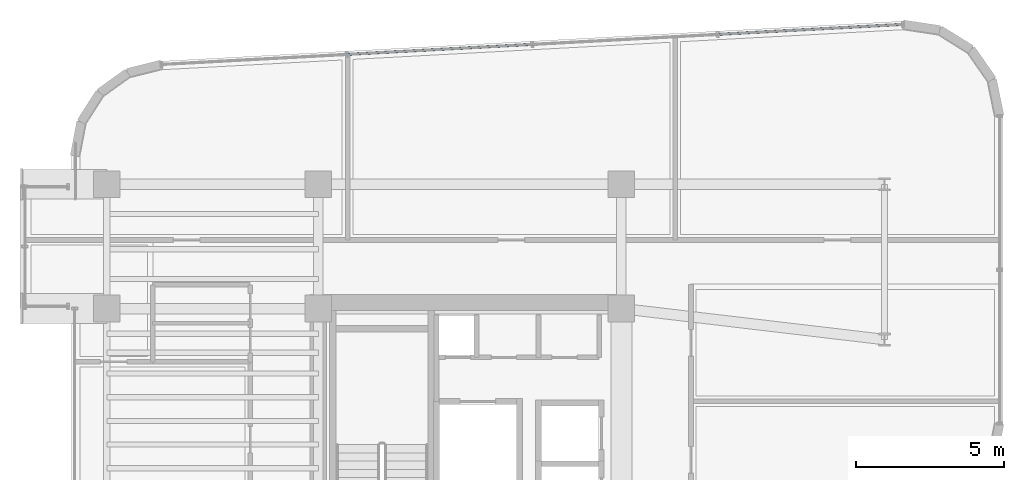
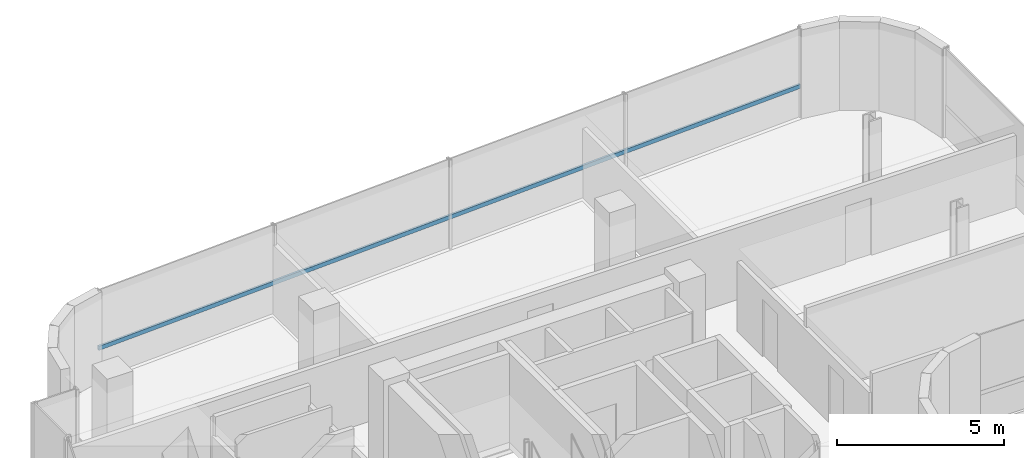
# One storey, part 14 of 21: 1 member, 1 element without a shape of its own.
"""IFC4 building model written with IfcOpenShell, lengths in metres."""

from ifc_helpers import new_model, si_unit, direction, frame, origin, origin_2d, place, context, subcontext, project, spatial, hollow_rectangle, extrude, source, transform, mapped, material, material_profile, profile_set, type_object, element, aggregate, save


model = new_model("IFC4")

# Units and contexts
model_context = context("Model", 3, precision=1e-05, world=origin(), true_north=direction((0.0, 1.0)))
body_context = subcontext(model_context, "Body", "Model", "MODEL_VIEW")
ifc_project = project(units=[si_unit("LENGTHUNIT", "METRE"), si_unit("AREAUNIT", "SQUARE_METRE"), si_unit("VOLUMEUNIT", "CUBIC_METRE"), si_unit("PLANEANGLEUNIT", "RADIAN"), si_unit("MASSUNIT", "GRAM", prefix="KILO")], contexts=[model_context])

# Site, building, storey
site_placement = place(None, origin())
site = spatial("IfcSite", under=ifc_project, at=site_placement, CompositionType="ELEMENT")
building_placement = place(site_placement, origin())
building = spatial("IfcBuilding", under=site, at=building_placement, Name="Valdorenza Pilgrim Sanctuary Tower", CompositionType="ELEMENT")
storey_placement = place(building_placement, frame((0.0, 0.0, 223.0)))
storey = spatial("IfcBuildingStorey", under=building, at=storey_placement, Name="L57", CompositionType="ELEMENT", Elevation=223.0)

# Curtain wall, member
ifc_material_1 = material(Name="Curtain-wall IGU glazing", Category="glass")
curtain_wall_type = type_object("IfcCurtainWallType", Name="CW-SYS-02", PredefinedType="NOTDEFINED", material=ifc_material_1)
curtain_wall_placement = place(storey_placement, origin())
curtain_wall = element("IfcCurtainWall", 1, at=curtain_wall_placement, inside=storey, type_object=curtain_wall_type, Name="L57 Curtain Wall CW-L57-1-6", PredefinedType="NOTDEFINED")
ifc_material_2 = material(Name="Anodised aluminium AW-6060", Category="aluminium")
ifc_material_profile = material_profile(ifc_material_2, hollow_rectangle(XDim=0.074951171875, YDim=0.14990234375, WallThickness=0.00390625, at=origin_2d()), Name="ALU-T 150x75x4")
ifc_profile_set = profile_set([ifc_material_profile], Name="Anodised aluminium AW-6060")
member_type = type_object("IfcMemberType", Name="CW-TRN-02", PredefinedType="USERDEFINED", material=ifc_profile_set)
shared_shape = source(origin(), body_context, "Body", "SweptSolid", [
    extrude(hollow_rectangle(XDim=0.074951171875, YDim=0.14990234375, WallThickness=0.00390625, at=origin_2d()), origin(), (0.0, 0.0, 1.0), 25.114990234375),
])
member_placement = place(storey_placement, frame((-27.9560546875, 18.85400390625, 1.1201171875), z_axis=(0.998546716184, 0.053893001378, 0.0), x_axis=(-0.053893001378, 0.998546716184, 0.0)))
member = element("IfcMember", 2, at=member_placement, type_object=member_type, Name="CW-L57-1-6 Transom 1", ObjectType="TRANSOM", PredefinedType="USERDEFINED", context=body_context, shape_type="MappedRepresentation", body=[
    mapped(shared_shape, transform((0.0, 0.0, 0.0), x_axis=(1.0, 0.0, 0.0), y_axis=(0.0, 1.0, 0.0), z_axis=(0.0, 0.0, 1.0), scale=1.0)),
])
aggregate(curtain_wall, [member])

save(model, "model.ifc")
